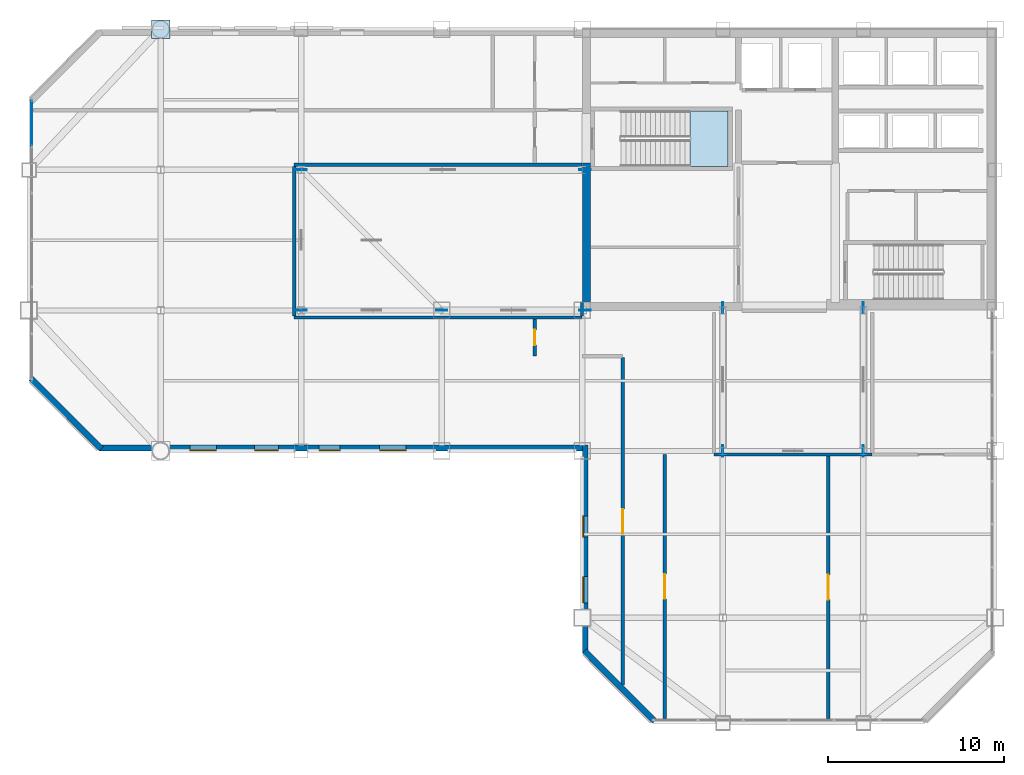
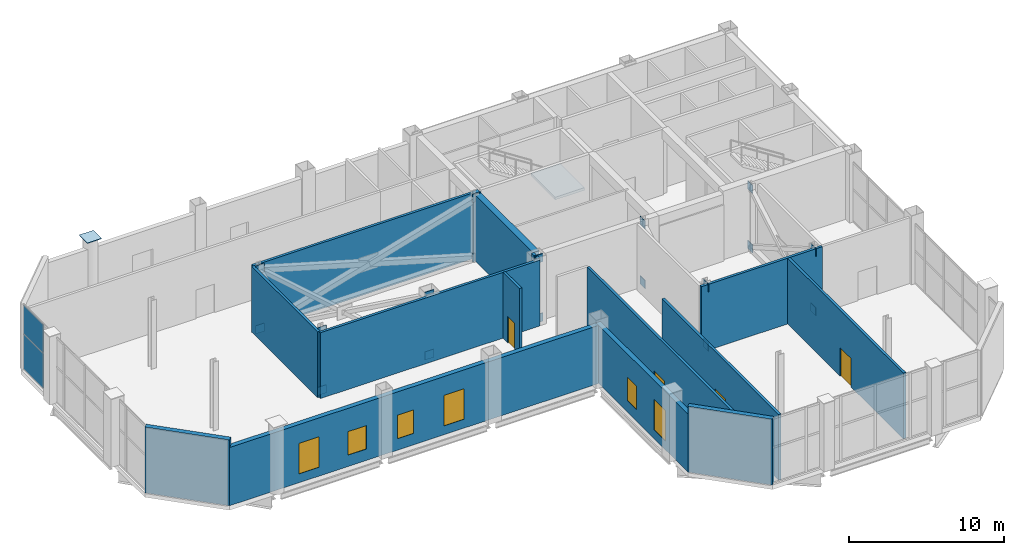
# One storey, part 17 of 23: 21 plates, 14 walls, 6 windows, 4 doors, 1 slab, 10 openings, 2 elements without a shape of their own.
"""IFC4 building model written with IfcOpenShell, lengths in metres."""

from ifc_helpers import new_model, si_unit, direction, frame, frame_2d, origin, origin_2d, place, context, subcontext, project, spatial, polyline, rectangle, outline, extrude, material, layer, layer_set, type_object, element, fill, aggregate, save


model = new_model("IFC4")

# Units and contexts
model_context = context("Model", 3, precision=1e-05, world=origin(), true_north=direction((0.0, 1.0)))
body_context = subcontext(model_context, "Body", "Model", "MODEL_VIEW")
ifc_project = project(units=[si_unit("LENGTHUNIT", "METRE"), si_unit("AREAUNIT", "SQUARE_METRE"), si_unit("VOLUMEUNIT", "CUBIC_METRE"), si_unit("PLANEANGLEUNIT", "RADIAN"), si_unit("MASSUNIT", "GRAM", prefix="KILO")], contexts=[model_context])

# Site, building, storey
site_placement = place(None, origin())
site = spatial("IfcSite", under=ifc_project, at=site_placement, CompositionType="ELEMENT")
building_placement = place(site_placement, origin())
building = spatial("IfcBuilding", under=site, at=building_placement, Name="Qianrong Seaharbour Tower", CompositionType="ELEMENT")
storey_placement = place(building_placement, frame((0.0, 0.0, 281.800048828125)))
storey = spatial("IfcBuildingStorey", under=building, at=storey_placement, Name="L68", CompositionType="ELEMENT", Elevation=281.800048828125)

# Curtain wall, plates
ifc_material_1 = material(Name="Anodised aluminium 6063-T6 and laminated low-e glass", Category="aluminium")
ifc_layer_1 = layer(ifc_material_1, 0.18505859375)
ifc_layer_set_1 = layer_set([ifc_layer_1], Name="Anodised aluminium 6063-T6 and laminated low-e glass")
curtain_wall_type = type_object("IfcCurtainWallType", Name="CW-SYS-4", PredefinedType="NOTDEFINED", material=ifc_layer_set_1)
curtain_wall_placement = place(storey_placement, origin())
curtain_wall = element("IfcCurtainWall", 1, at=curtain_wall_placement, inside=storey, type_object=curtain_wall_type, Name="L68 Refuge Acoustic Louvre Curtain Wall WEST_TIP", PredefinedType="NOTDEFINED")
ifc_material_2 = material(Name="Anodised aluminium acoustic louvre cassette", Category="aluminium")
ifc_layer_2 = layer(ifc_material_2, 0.044921875)
ifc_layer_set_2 = layer_set([ifc_layer_2], Name="Anodised aluminium acoustic louvre cassette")
plate_type_1 = type_object("IfcPlateType", Name="CW-PAN-LOUVRE-45", PredefinedType="CURTAIN_PANEL", material=ifc_layer_set_2)
plate_1_placement = place(storey_placement, frame((9.169921875, 46.649169921875, 0.06494140625), z_axis=(0.0, 0.0, 1.0), x_axis=(0.0, 1.0, 0.0)))
plate_1 = element("IfcPlate", 2, at=plate_1_placement, type_object=plate_type_1, Name="CW-4 panel 6.1", PredefinedType="CURTAIN_PANEL", context=body_context, shape_type="SweptSolid", body=[
    extrude(rectangle(XDim=2.561767578125, YDim=0.044921875, at=origin_2d()), origin(), (0.0, 0.0, 1.0), 2.732421875),
])
plate_2_placement = place(storey_placement, frame((9.169921875, 46.649169921875, 2.8623046875), z_axis=(0.0, 0.0, 1.0), x_axis=(0.0, 1.0, 0.0)))
plate_2 = element("IfcPlate", 3, at=plate_2_placement, type_object=plate_type_1, Name="CW-4 panel 6.2", PredefinedType="CURTAIN_PANEL", context=body_context, shape_type="SweptSolid", body=[
    extrude(rectangle(XDim=2.561767578125, YDim=0.044921875, at=origin_2d()), origin(), (0.0, 0.0, 1.0), 2.2177734375),
])
aggregate(curtain_wall, [plate_1, plate_2])

# Plates
ifc_material_3 = material(Name="Structural steel SN490B", Category="steel")
ifc_layer_3 = layer(ifc_material_3, 0.044921875)
ifc_layer_set_3 = layer_set([ifc_layer_3], Name="Structural steel SN490B")
plate_type_2 = type_object("IfcPlateType", Name="PLT-COL-CAP-45", PredefinedType="SHEET", material=ifc_layer_set_3)
plate_3_placement = place(storey_placement, frame((16.5, 52.0, 5.37744140625), z_axis=(0.0, 0.0, 1.0), x_axis=(1.0, 0.0, 0.0)))
element("IfcPlate", 4, at=plate_3_placement, inside=storey, type_object=plate_type_2, Name="L68 Hollow Column Closure Cap Plate G3/GH", PredefinedType="SHEET", context=body_context, shape_type="SweptSolid", body=[
    extrude(rectangle(XDim=1.06005859375, YDim=1.06005859375, at=origin_2d()), origin(), (0.0, 0.0, 1.0), 0.044921875),
])
ifc_layer_4 = layer(ifc_material_3, 0.050048828125)
ifc_layer_set_4 = layer_set([ifc_layer_4], Name="Structural steel SN490B")
plate_type_3 = type_object("IfcPlateType", Name="PLT-OUTRIGGER-GUSSET-50", PredefinedType="USERDEFINED", material=ifc_layer_set_4)
for number, where, z_axis, x_axis, name in (
    (5, (40.64990234375, 36.0, -0.074951171875), (0.0, 0.0, 1.0), (1.0, 0.0, 0.0), "L68 Brace End Gusset Node Plate GF-CB"),
    (6, (40.64990234375, 36.0, 4.610107421875), (0.0, 0.0, 1.0), (1.0, 0.0, 0.0), "L68 Brace End Gusset Node Plate GF-CT"),
    (7, (32.5, 36.0, -0.074951171875), (0.0, 0.0, 1.0), (1.0, 0.0, 0.0), "L68 Brace End Gusset Node Plate GF-OB"),
    (8, (32.5, 36.0, 4.610107421875), (0.0, 0.0, 1.0), (1.0, 0.0, 0.0), "L68 Brace End Gusset Node Plate GF-OT"),
    (9, (40.64990234375, 44.0, -0.074951171875), (0.0, 0.0, 1.0), (1.0, 0.0, 0.0), "L68 Brace End Gusset Node Plate GG-CB"),
    (10, (40.64990234375, 44.0, 4.610107421875), (0.0, 0.0, 1.0), (1.0, 0.0, 0.0), "L68 Brace End Gusset Node Plate GG-CT"),
    (11, (24.5, 44.0, -0.074951171875), (0.0, 0.0, 1.0), (1.0, 0.0, 0.0), "L68 Brace End Gusset Node Plate GG-OB"),
    (12, (24.5, 44.0, 4.610107421875), (0.0, 0.0, 1.0), (1.0, 0.0, 0.0), "L68 Brace End Gusset Node Plate GG-OT"),
):
    element("IfcPlate", number, at=place(storey_placement, frame(where, z_axis=z_axis, x_axis=x_axis)), inside=storey, type_object=plate_type_3, Name=name, ObjectType="GUSSET PLATE", PredefinedType="USERDEFINED", context=body_context, shape_type="SweptSolid", body=[
        extrude(rectangle(XDim=0.64990234375, YDim=0.050048828125, at=origin_2d()), origin(), (0.0, 0.0, 1.0), 0.64990234375),
    ])
for number, where, z_axis, x_axis, name in (
    (13, (48.5, 36.14990234375, -0.074951171875), (0.0, 0.0, 1.0), (1.0, 0.0, 0.0), "L68 Brace End Gusset Node Plate G7-CB"),
    (14, (48.5, 36.14990234375, 4.610107421875), (0.0, 0.0, 1.0), (1.0, 0.0, 0.0), "L68 Brace End Gusset Node Plate G7-CT"),
    (15, (48.5, 28.0, -0.074951171875), (0.0, 0.0, 1.0), (1.0, 0.0, 0.0), "L68 Brace End Gusset Node Plate G7-OB"),
    (16, (48.5, 28.0, 4.610107421875), (0.0, 0.0, 1.0), (1.0, 0.0, 0.0), "L68 Brace End Gusset Node Plate G7-OT"),
    (17, (56.5, 36.14990234375, -0.074951171875), (0.0, 0.0, 1.0), (1.0, 0.0, 0.0), "L68 Brace End Gusset Node Plate G8-CB"),
    (18, (56.5, 36.14990234375, 4.610107421875), (0.0, 0.0, 1.0), (1.0, 0.0, 0.0), "L68 Brace End Gusset Node Plate G8-CT"),
    (19, (56.5, 28.0, -0.074951171875), (0.0, 0.0, 1.0), (1.0, 0.0, 0.0), "L68 Brace End Gusset Node Plate G8-OB"),
    (20, (56.5, 28.0, 4.610107421875), (0.0, 0.0, 1.0), (1.0, 0.0, 0.0), "L68 Brace End Gusset Node Plate G8-OT"),
):
    element("IfcPlate", number, at=place(storey_placement, frame(where, z_axis=z_axis, x_axis=x_axis)), inside=storey, type_object=plate_type_3, Name=name, ObjectType="GUSSET PLATE", PredefinedType="USERDEFINED", context=body_context, shape_type="SweptSolid", body=[
        extrude(rectangle(XDim=0.050048828125, YDim=0.64990234375, at=origin_2d()), origin(), (0.0, 0.0, 1.0), 0.64990234375),
    ])
for number, where, z_axis, x_axis, name in (
    (21, (24.5, 36.0, -0.074951171875), (0.0, 0.0, 1.0), (1.0, 0.0, 0.0), "L68 Brace End Gusset Node Plate B1-A0"),
    (22, (24.5, 36.0, 4.610107421875), (0.0, 0.0, 1.0), (1.0, 0.0, 0.0), "L68 Brace End Gusset Node Plate B1-A1"),
):
    element("IfcPlate", number, at=place(storey_placement, frame(where, z_axis=z_axis, x_axis=x_axis)), inside=storey, type_object=plate_type_3, Name=name, ObjectType="GUSSET PLATE", PredefinedType="USERDEFINED", context=body_context, shape_type="SweptSolid", body=[
        extrude(rectangle(XDim=0.64990234375, YDim=0.050048828125, at=origin_2d()), origin(), (0.0, 0.0, 1.0), 0.64990234375),
    ])

# Stair, slab
ifc_material_4 = material(Name="Concrete C50/60", Category="concrete")
stair_type = type_object("IfcStairType", Name="STAIR-DOGLEG-1500-R30", PredefinedType="HALF_TURN_STAIR", material=ifc_material_4)
stair_placement = place(storey_placement, origin())
stair = element("IfcStair", 23, at=stair_placement, inside=storey, type_object=stair_type, Name="L68 Protected Escape Stair ST-1", PredefinedType="HALF_TURN_STAIR")
ifc_layer_5 = layer(ifc_material_4, 0.199951171875)
ifc_layer_set_5 = layer_set([ifc_layer_5], Name="Concrete C50/60")
slab_type = type_object("IfcSlabType", Name="SLAB-STAIR-LANDING-200", PredefinedType="LANDING", material=ifc_layer_set_5)
slab_placement = place(storey_placement, frame((0.0, 0.0, 2.5)))
slab = element("IfcSlab", 24, at=slab_placement, type_object=slab_type, Name="ST-1 landing 1", PredefinedType="LANDING", context=body_context, shape_type="SweptSolid", body=[
    extrude(outline(polyline([(46.6201171875, 44.199951171875), (48.800048828125, 44.199951171875), (48.800048828125, 47.35009765625), (46.6201171875, 47.35009765625), (46.6201171875, 44.199951171875)])), origin(), (0.0, 0.0, 1.0), 0.199951171875),
])
aggregate(stair, [slab])

# Wall
ifc_material_5 = material(Name="Concrete C60/75", Category="concrete")
ifc_layer_6 = layer(ifc_material_5, 0.4599609375)
ifc_layer_set_6 = layer_set([ifc_layer_6], Name="Concrete C60/75")
wall_type_1 = type_object("IfcWallType", Name="WALL-CORE-460", PredefinedType="SHEAR", material=ifc_layer_set_6)
wall_1_placement = place(storey_placement, frame((40.72998046875, 36.4599609375, 0.0), z_axis=(0.0, 0.0, 1.0), x_axis=(0.0, 1.0, 0.0)))
element("IfcWall", 25, at=wall_1_placement, inside=storey, type_object=wall_type_1, Name="L68 West Core Shear Wall South", PredefinedType="SHEAR", context=body_context, shape_type="SweptSolid", body=[
    extrude(rectangle(XDim=7.93994140625, YDim=0.4599609375, at=frame_2d((3.969970703125, 0.0))), origin(), (0.0, 0.0, 1.0), 5.18505859375),
])

# Wall, openings, windows
ifc_material_6 = material(Name="Unitised buff brick on Precast concrete C45/55", Category="masonry")
ifc_layer_7 = layer(ifc_material_6, 0.340087890625)
ifc_layer_set_7 = layer_set([ifc_layer_7], Name="Unitised buff brick on Precast concrete C45/55")
wall_type_2 = type_object("IfcWallType", Name="WALL-EXT-BRICK-BUFF-340", PredefinedType="SOLIDWALL", material=ifc_layer_set_7)
wall_2_placement = place(storey_placement, frame((40.669921875, 16.5, 0.0), z_axis=(0.0, 0.0, 1.0), x_axis=(0.0, 1.0, 0.0)))
wall_2 = element("IfcWall", 26, at=wall_2_placement, inside=storey, type_object=wall_type_2, Name="L68 Exterior Masonry Facade Wall REENTRANT_WEST", PredefinedType="SOLIDWALL", context=body_context, shape_type="SweptSolid", body=[
    extrude(rectangle(XDim=11.840087890625, YDim=0.340087890625, at=frame_2d((5.919921875, 0.0))), origin(), (0.0, 0.0, 1.0), 4.5849609375),
])
opening_1_placement = place(wall_2_placement, frame((2.85009765625, 0.0, 0.699951171875)))
opening_1 = element("IfcOpeningElement", 27, at=opening_1_placement, cuts=wall_2, Name="Opening WN-08", PredefinedType="OPENING", context=body_context, shape_type="SweptSolid", body=[
    extrude(rectangle(XDim=1.5, YDim=2.39990234375, at=frame_2d((0.75, 1.199951171875))), frame((0.0, 0.18017578125, 0.0), z_axis=(0.0, -1.0, 0.0), x_axis=(1.0, 0.0, 0.0)), (0.0, 0.0, 1.0), 0.360107421875),
])
opening_2_placement = place(wall_2_placement, frame((6.60009765625, 0.0, 0.89990234375)))
opening_2 = element("IfcOpeningElement", 28, at=opening_2_placement, cuts=wall_2, Name="Opening WN-01", PredefinedType="OPENING", context=body_context, shape_type="SweptSolid", body=[
    extrude(rectangle(XDim=1.199951171875, YDim=1.85009765625, at=frame_2d((0.60009765625, 0.925048828125))), frame((0.0, 0.18017578125, 0.0), z_axis=(0.0, -1.0, 0.0), x_axis=(1.0, 0.0, 0.0)), (0.0, 0.0, 1.0), 0.360107421875),
])
ifc_material_7 = material(Name="Insulated low-e double glazing in thermally broken aluminium 6063-T6 frame", Category="aluminium")
window_type_1 = type_object("IfcWindowType", Name="WIN-PUNCH-1200x1850", PartitioningType="DOUBLE_PANEL_VERTICAL", PredefinedType="WINDOW", material=ifc_material_7)
window_1_placement = place(opening_2_placement, origin())
window_1 = element("IfcWindow", 29, at=window_1_placement, inside=storey, type_object=window_type_1, Name="L68 Deep-Set Punched Window 00.02", OverallHeight=1.85009765625, OverallWidth=1.199951171875, PartitioningType="DOUBLE_PANEL_VERTICAL", PredefinedType="WINDOW", context=body_context, shape_type="SweptSolid", body=[
    extrude(rectangle(XDim=1.199951171875, YDim=1.85009765625, at=frame_2d((0.60009765625, 0.925048828125))), frame((0.0, 0.150146484375, 0.0), z_axis=(0.0, -1.0, 0.0), x_axis=(1.0, 0.0, 0.0)), (0.0, 0.0, 1.0), 0.06005859375),
])
fill(opening_2, window_1)
window_type_2 = type_object("IfcWindowType", Name="WIN-PUNCH-1500x2400", PartitioningType="DOUBLE_PANEL_HORIZONTAL", PredefinedType="WINDOW", material=ifc_material_7)
window_2_placement = place(opening_1_placement, origin())
window_2 = element("IfcWindow", 30, at=window_2_placement, inside=storey, type_object=window_type_2, Name="L68 Deep-Set Punched Window 00.01", OverallHeight=2.39990234375, OverallWidth=1.5, PartitioningType="DOUBLE_PANEL_HORIZONTAL", PredefinedType="WINDOW", context=body_context, shape_type="SweptSolid", body=[
    extrude(rectangle(XDim=1.5, YDim=2.39990234375, at=frame_2d((0.75, 1.199951171875))), frame((0.0, 0.150146484375, 0.0), z_axis=(0.0, -1.0, 0.0), x_axis=(1.0, 0.0, 0.0)), (0.0, 0.0, 1.0), 0.06005859375),
])
fill(opening_1, window_2)

wall_3_placement = place(storey_placement, frame((40.52001953125, 28.169921875, 0.0), z_axis=(0.0, 0.0, 1.0), x_axis=(-1.0, 0.0, 0.0)))
wall_3 = element("IfcWall", 31, at=wall_3_placement, inside=storey, type_object=wall_type_2, Name="L68 Exterior Masonry Facade Wall HARBOUR_RIBBON", PredefinedType="SOLIDWALL", context=body_context, shape_type="SweptSolid", body=[
    extrude(rectangle(XDim=27.52001953125, YDim=0.340087890625, at=frame_2d((13.760009765625, 0.0))), origin(), (0.0, 0.0, 1.0), 4.5849609375),
])
opening_3_placement = place(wall_3_placement, frame((10.050048828125, 0.0, 0.699951171875)))
opening_3 = element("IfcOpeningElement", 32, at=opening_3_placement, cuts=wall_3, Name="Opening WN-08", PredefinedType="OPENING", context=body_context, shape_type="SweptSolid", body=[
    extrude(rectangle(XDim=1.5, YDim=2.39990234375, at=frame_2d((0.75, 1.199951171875))), frame((0.0, 0.18017578125, 0.0), z_axis=(0.0, -1.0, 0.0), x_axis=(1.0, 0.0, 0.0)), (0.0, 0.0, 1.0), 0.360107421875),
])
opening_4_placement = place(wall_3_placement, frame((13.800048828125, 0.0, 0.89990234375)))
opening_4 = element("IfcOpeningElement", 33, at=opening_4_placement, cuts=wall_3, Name="Opening WN-01", PredefinedType="OPENING", context=body_context, shape_type="SweptSolid", body=[
    extrude(rectangle(XDim=1.199951171875, YDim=1.85009765625, at=frame_2d((0.60009765625, 0.925048828125))), frame((0.0, 0.18017578125, 0.0), z_axis=(0.0, -1.0, 0.0), x_axis=(1.0, 0.0, 0.0)), (0.0, 0.0, 1.0), 0.360107421875),
])
opening_5_placement = place(wall_3_placement, frame((17.324951171875, 0.0, 0.89990234375)))
opening_5 = element("IfcOpeningElement", 34, at=opening_5_placement, cuts=wall_3, Name="Opening WN-02", PredefinedType="OPENING", context=body_context, shape_type="SweptSolid", body=[
    extrude(rectangle(XDim=1.35009765625, YDim=1.85009765625, at=frame_2d((0.675048828125, 0.925048828125))), frame((0.0, 0.18017578125, 0.0), z_axis=(0.0, -1.0, 0.0), x_axis=(1.0, 0.0, 0.0)), (0.0, 0.0, 1.0), 0.360107421875),
])
opening_6_placement = place(wall_3_placement, frame((20.85009765625, 0.0, 0.699951171875)))
opening_6 = element("IfcOpeningElement", 35, at=opening_6_placement, cuts=wall_3, Name="Opening WN-08", PredefinedType="OPENING", context=body_context, shape_type="SweptSolid", body=[
    extrude(rectangle(XDim=1.5, YDim=2.39990234375, at=frame_2d((0.75, 1.199951171875))), frame((0.0, 0.18017578125, 0.0), z_axis=(0.0, -1.0, 0.0), x_axis=(1.0, 0.0, 0.0)), (0.0, 0.0, 1.0), 0.360107421875),
])
window_3_placement = place(opening_4_placement, origin())
window_3 = element("IfcWindow", 36, at=window_3_placement, inside=storey, type_object=window_type_1, Name="L68 Deep-Set Punched Window 01.04", OverallHeight=1.85009765625, OverallWidth=1.199951171875, PartitioningType="DOUBLE_PANEL_VERTICAL", PredefinedType="WINDOW", context=body_context, shape_type="SweptSolid", body=[
    extrude(rectangle(XDim=1.199951171875, YDim=1.85009765625, at=frame_2d((0.60009765625, 0.925048828125))), frame((0.0, 0.150146484375, 0.0), z_axis=(0.0, -1.0, 0.0), x_axis=(1.0, 0.0, 0.0)), (0.0, 0.0, 1.0), 0.06005859375),
])
fill(opening_4, window_3)
window_type_3 = type_object("IfcWindowType", Name="WIN-PUNCH-1350x1850", PartitioningType="DOUBLE_PANEL_VERTICAL", PredefinedType="WINDOW", material=ifc_material_7)
window_4_placement = place(opening_5_placement, origin())
window_4 = element("IfcWindow", 37, at=window_4_placement, inside=storey, type_object=window_type_3, Name="L68 Deep-Set Punched Window 01.05", OverallHeight=1.85009765625, OverallWidth=1.35009765625, PartitioningType="DOUBLE_PANEL_VERTICAL", PredefinedType="WINDOW", context=body_context, shape_type="SweptSolid", body=[
    extrude(rectangle(XDim=1.35009765625, YDim=1.85009765625, at=frame_2d((0.675048828125, 0.925048828125))), frame((0.0, 0.150146484375, 0.0), z_axis=(0.0, -1.0, 0.0), x_axis=(1.0, 0.0, 0.0)), (0.0, 0.0, 1.0), 0.06005859375),
])
fill(opening_5, window_4)
window_5_placement = place(opening_3_placement, origin())
window_5 = element("IfcWindow", 38, at=window_5_placement, inside=storey, type_object=window_type_2, Name="L68 Deep-Set Punched Window 01.03", OverallHeight=2.39990234375, OverallWidth=1.5, PartitioningType="DOUBLE_PANEL_HORIZONTAL", PredefinedType="WINDOW", context=body_context, shape_type="SweptSolid", body=[
    extrude(rectangle(XDim=1.5, YDim=2.39990234375, at=frame_2d((0.75, 1.199951171875))), frame((0.0, 0.150146484375, 0.0), z_axis=(0.0, -1.0, 0.0), x_axis=(1.0, 0.0, 0.0)), (0.0, 0.0, 1.0), 0.06005859375),
])
fill(opening_3, window_5)
window_6_placement = place(opening_6_placement, origin())
window_6 = element("IfcWindow", 39, at=window_6_placement, inside=storey, type_object=window_type_2, Name="L68 Deep-Set Punched Window 01.06", OverallHeight=2.39990234375, OverallWidth=1.5, PartitioningType="DOUBLE_PANEL_HORIZONTAL", PredefinedType="WINDOW", context=body_context, shape_type="SweptSolid", body=[
    extrude(rectangle(XDim=1.5, YDim=2.39990234375, at=frame_2d((0.75, 1.199951171875))), frame((0.0, 0.150146484375, 0.0), z_axis=(0.0, -1.0, 0.0), x_axis=(1.0, 0.0, 0.0)), (0.0, 0.0, 1.0), 0.06005859375),
])
fill(opening_6, window_6)

# Walls
for number, where, z_axis, x_axis, name in (
    (40, (13.1201171875, 28.1201171875, 0.0), (0.0, 0.0, 1.0), (-0.707106781187, 0.707106781187, 0.0), "L68 Exterior Masonry Facade Wall E02"),
    (41, (44.6201171875, 12.6201171875, 0.0), (0.0, 0.0, 1.0), (-0.707106781187, 0.707106781187, 0.0), "L68 Exterior Masonry Facade Wall E09"),
):
    element("IfcWall", number, at=place(storey_placement, frame(where, z_axis=z_axis, x_axis=x_axis)), inside=storey, type_object=wall_type_2, Name=name, PredefinedType="SOLIDWALL", context=body_context, shape_type="SweptSolid", body=[
        extrude(rectangle(XDim=5.65673828125, YDim=0.340087890625, at=frame_2d((2.828369140625, 0.0))), origin(), (0.0, 0.0, 1.0), 5.18505859375),
    ])
ifc_material_8 = material(Name="Double fire-rated gypsum board acoustic partition")
ifc_layer_8 = layer(ifc_material_8, 0.18994140625)
ifc_layer_set_8 = layer_set([ifc_layer_8], Name="Double fire-rated gypsum board acoustic partition")
wall_type_3 = type_object("IfcWallType", Name="WALL-FIRE-PART-190", PredefinedType="PARTITIONING", material=ifc_layer_set_8)
for number, where, z_axis, x_axis, name in (
    (42, (24.10009765625, 44.300048828125, 0.0), (0.0, 0.0, 1.0), (1.0, 0.0, 0.0), "L68 Outrigger Truss Zone Fire Enclosure Wall N"),
    (43, (40.47998046875, 35.60009765625, 0.0), (0.0, 0.0, 1.0), (-1.0, 0.0, 0.0), "L68 Outrigger Truss Zone Fire Enclosure Wall S"),
):
    element("IfcWall", number, at=place(storey_placement, frame(where, z_axis=z_axis, x_axis=x_axis)), inside=storey, type_object=wall_type_3, Name=name, PredefinedType="PARTITIONING", context=body_context, shape_type="SweptSolid", body=[
        extrude(rectangle(XDim=16.3798828125, YDim=0.18994140625, at=frame_2d((8.18994140625, 0.0))), origin(), (0.0, 0.0, 1.0), 5.18505859375),
    ])
wall_4_placement = place(storey_placement, frame((24.10009765625, 35.695068359375, 0.0), z_axis=(0.0, 0.0, 1.0), x_axis=(0.0, 1.0, 0.0)))
element("IfcWall", 44, at=wall_4_placement, inside=storey, type_object=wall_type_3, Name="L68 Outrigger Truss Zone Fire Enclosure Wall W", PredefinedType="PARTITIONING", context=body_context, shape_type="SweptSolid", body=[
    extrude(rectangle(XDim=8.510009765625, YDim=0.18994140625, at=frame_2d((4.2548828125, 0.0))), origin(), (0.0, 0.0, 1.0), 5.18505859375),
])
wall_5_placement = place(storey_placement, frame((40.47998046875, 36.4599609375, 0.0), z_axis=(0.0, 0.0, 1.0), x_axis=(0.0, -1.0, 0.0)))
element("IfcWall", 45, at=wall_5_placement, inside=storey, type_object=wall_type_3, Name="L68 Outrigger Truss Zone Fire Enclosure Wall E", PredefinedType="PARTITIONING", context=body_context, shape_type="SweptSolid", body=[
    extrude(rectangle(XDim=0.764892578125, YDim=0.18994140625, at=frame_2d((0.38232421875, 0.0))), origin(), (0.0, 0.0, 1.0), 5.18505859375),
])
wall_6_placement = place(storey_placement, frame((57.0, 27.800048828125, 0.0), z_axis=(0.0, 0.0, 1.0), x_axis=(-1.0, 0.0, 0.0)))
element("IfcWall", 46, at=wall_6_placement, inside=storey, type_object=wall_type_3, Name="L68 Outrigger Truss Zone Fire Enclosure Wall S", PredefinedType="PARTITIONING", context=body_context, shape_type="SweptSolid", body=[
    extrude(rectangle(XDim=9.0, YDim=0.18994140625, at=frame_2d((4.5, 0.0))), origin(), (0.0, 0.0, 1.0), 5.18505859375),
])

# Wall, opening, door
wall_7_placement = place(storey_placement, frame((37.800048828125, 35.512939453125, 0.0), z_axis=(0.0, 0.0, 1.0), x_axis=(0.0, -1.0, 0.0)))
wall_7 = element("IfcWall", 47, at=wall_7_placement, inside=storey, type_object=wall_type_3, Name="L68 Interior Partition Wall 017", PredefinedType="PARTITIONING", context=body_context, shape_type="SweptSolid", body=[
    extrude(rectangle(XDim=2.113037109375, YDim=0.18994140625, at=frame_2d((1.056640625, 0.0))), origin(), (0.0, 0.0, 1.0), 5.18505859375),
])
opening_7_placement = place(wall_7_placement, frame((0.62646484375, 0.0, 0.0)))
opening_7 = element("IfcOpeningElement", 48, at=opening_7_placement, cuts=wall_7, Name="Opening DU-01", PredefinedType="OPENING", context=body_context, shape_type="SweptSolid", body=[
    extrude(rectangle(XDim=0.860107421875, YDim=2.10009765625, at=frame_2d((0.43017578125, 1.050048828125))), frame((0.0, 0.10498046875, 0.0), z_axis=(0.0, -1.0, 0.0), x_axis=(1.0, 0.0, 0.0)), (0.0, 0.0, 1.0), 0.2099609375),
])
ifc_material_9 = material(Name="Acoustic timber and galvanized steel fire door assembly", Category="steel")
door_type_1 = type_object("IfcDoorType", Name="DOOR-UTIL-860x2100", OperationType="NOTDEFINED", PredefinedType="DOOR", material=ifc_material_9)
door_1_placement = place(opening_7_placement, origin())
door_1 = element("IfcDoor", 49, at=door_1_placement, inside=storey, type_object=door_type_1, Name="L68 Fire Refuge Area Door", OperationType="SINGLE_SWING_RIGHT", OverallHeight=2.10009765625, OverallWidth=0.860107421875, PredefinedType="DOOR", context=body_context, shape_type="SweptSolid", body=[
    extrude(rectangle(XDim=0.860107421875, YDim=2.10009765625, at=frame_2d((0.43017578125, 1.050048828125))), frame((0.0, 0.02490234375, 0.0), z_axis=(0.0, -1.0, 0.0), x_axis=(1.0, 0.0, 0.0)), (0.0, 0.0, 1.0), 0.050048828125),
])
fill(opening_7, door_1)

wall_8_placement = place(storey_placement, frame((45.199951171875, 27.800048828125, 0.0), z_axis=(0.0, 0.0, 1.0), x_axis=(0.0, -1.0, 0.0)))
wall_8 = element("IfcWall", 50, at=wall_8_placement, inside=storey, type_object=wall_type_3, Name="L68 Interior Partition Wall 020", PredefinedType="PARTITIONING", context=body_context, shape_type="SweptSolid", body=[
    extrude(rectangle(XDim=15.028076171875, YDim=0.18994140625, at=frame_2d((7.51416015625, 0.0))), origin(), (0.0, 0.0, 1.0), 5.18505859375),
])
opening_8_placement = place(wall_8_placement, frame((6.81396484375, 0.0, 0.0)))
opening_8 = element("IfcOpeningElement", 51, at=opening_8_placement, cuts=wall_8, Name="Opening DP-01", PredefinedType="OPENING", context=body_context, shape_type="SweptSolid", body=[
    extrude(rectangle(XDim=1.39990234375, YDim=2.25, at=frame_2d((0.699951171875, 1.125))), frame((0.0, 0.10498046875, 0.0), z_axis=(0.0, -1.0, 0.0), x_axis=(1.0, 0.0, 0.0)), (0.0, 0.0, 1.0), 0.2099609375),
])
door_type_2 = type_object("IfcDoorType", Name="DOOR-PLANT-PAIR-1400x2250", OperationType="DOUBLE_DOOR_SINGLE_SWING", PredefinedType="DOOR", material=ifc_material_9)
door_2_placement = place(opening_8_placement, origin())
door_2 = element("IfcDoor", 52, at=door_2_placement, inside=storey, type_object=door_type_2, Name="L68 Air Handling Fan Room Door", OperationType="DOUBLE_DOOR_SINGLE_SWING", OverallHeight=2.25, OverallWidth=1.39990234375, PredefinedType="DOOR", context=body_context, shape_type="SweptSolid", body=[
    extrude(rectangle(XDim=1.39990234375, YDim=2.25, at=frame_2d((0.699951171875, 1.125))), frame((0.0, 0.02490234375, 0.0), z_axis=(0.0, -1.0, 0.0), x_axis=(1.0, 0.0, 0.0)), (0.0, 0.0, 1.0), 0.050048828125),
])
fill(opening_8, door_2)

wall_9_placement = place(storey_placement, frame((42.800048828125, 14.66943359375, 0.0), z_axis=(0.0, 0.0, 1.0), x_axis=(0.0, 1.0, 0.0)))
wall_9 = element("IfcWall", 53, at=wall_9_placement, inside=storey, type_object=wall_type_3, Name="L68 Interior Partition Wall 021", PredefinedType="PARTITIONING", context=body_context, shape_type="SweptSolid", body=[
    extrude(rectangle(XDim=18.6435546875, YDim=0.18994140625, at=frame_2d((9.32177734375, 0.0))), origin(), (0.0, 0.0, 1.0), 5.18505859375),
])
opening_9_placement = place(wall_9_placement, frame((8.621826171875, 0.0, 0.0)))
opening_9 = element("IfcOpeningElement", 54, at=opening_9_placement, cuts=wall_9, Name="Opening DP-01", PredefinedType="OPENING", context=body_context, shape_type="SweptSolid", body=[
    extrude(rectangle(XDim=1.39990234375, YDim=2.25, at=frame_2d((0.699951171875, 1.125))), frame((0.0, 0.10498046875, 0.0), z_axis=(0.0, -1.0, 0.0), x_axis=(1.0, 0.0, 0.0)), (0.0, 0.0, 1.0), 0.2099609375),
])
door_3_placement = place(opening_9_placement, origin())
door_3 = element("IfcDoor", 55, at=door_3_placement, inside=storey, type_object=door_type_2, Name="L68 Electrical Substation Door", OperationType="DOUBLE_DOOR_SINGLE_SWING", OverallHeight=2.25, OverallWidth=1.39990234375, PredefinedType="DOOR", context=body_context, shape_type="SweptSolid", body=[
    extrude(rectangle(XDim=1.39990234375, YDim=2.25, at=frame_2d((0.699951171875, 1.125))), frame((0.0, 0.02490234375, 0.0), z_axis=(0.0, -1.0, 0.0), x_axis=(1.0, 0.0, 0.0)), (0.0, 0.0, 1.0), 0.050048828125),
])
fill(opening_9, door_3)

wall_10_placement = place(storey_placement, frame((54.5, 27.712890625, 0.0), z_axis=(0.0, 0.0, 1.0), x_axis=(0.0, -1.0, 0.0)))
wall_10 = element("IfcWall", 56, at=wall_10_placement, inside=storey, type_object=wall_type_3, Name="L68 Interior Partition Wall 022", PredefinedType="PARTITIONING", context=body_context, shape_type="SweptSolid", body=[
    extrude(rectangle(XDim=14.94091796875, YDim=0.18994140625, at=frame_2d((7.470458984375, 0.0))), origin(), (0.0, 0.0, 1.0), 5.18505859375),
])
opening_10_placement = place(wall_10_placement, frame((6.7705078125, 0.0, 0.0)))
opening_10 = element("IfcOpeningElement", 57, at=opening_10_placement, cuts=wall_10, Name="Opening DP-01", PredefinedType="OPENING", context=body_context, shape_type="SweptSolid", body=[
    extrude(rectangle(XDim=1.39990234375, YDim=2.25, at=frame_2d((0.699951171875, 1.125))), frame((0.0, 0.10498046875, 0.0), z_axis=(0.0, -1.0, 0.0), x_axis=(1.0, 0.0, 0.0)), (0.0, 0.0, 1.0), 0.2099609375),
])
door_4_placement = place(opening_10_placement, origin())
door_4 = element("IfcDoor", 58, at=door_4_placement, inside=storey, type_object=door_type_2, Name="L68 Fire Water Tank Room Door", OperationType="DOUBLE_DOOR_SINGLE_SWING", OverallHeight=2.25, OverallWidth=1.39990234375, PredefinedType="DOOR", context=body_context, shape_type="SweptSolid", body=[
    extrude(rectangle(XDim=1.39990234375, YDim=2.25, at=frame_2d((0.699951171875, 1.125))), frame((0.0, 0.02490234375, 0.0), z_axis=(0.0, -1.0, 0.0), x_axis=(1.0, 0.0, 0.0)), (0.0, 0.0, 1.0), 0.050048828125),
])
fill(opening_10, door_4)

save(model, "model.ifc")
